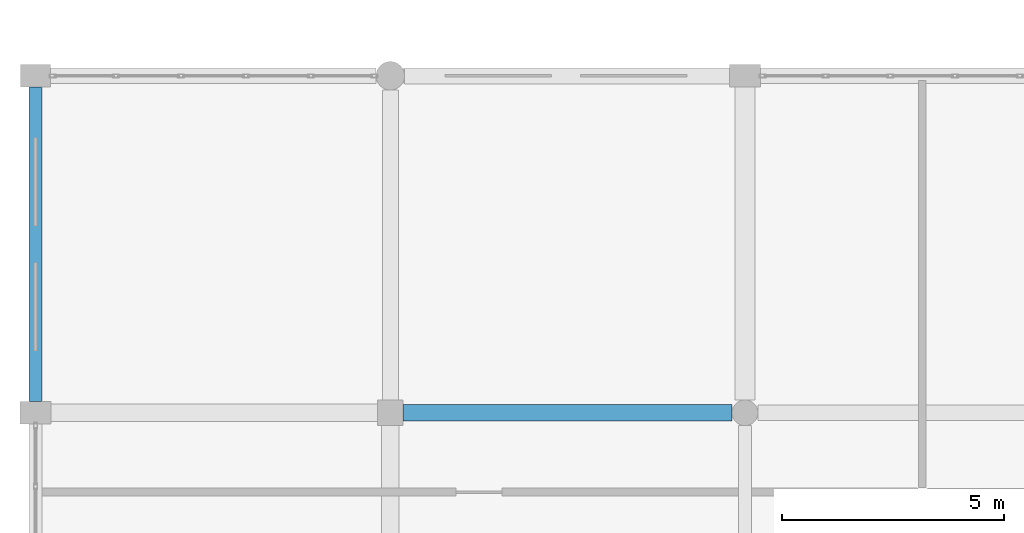
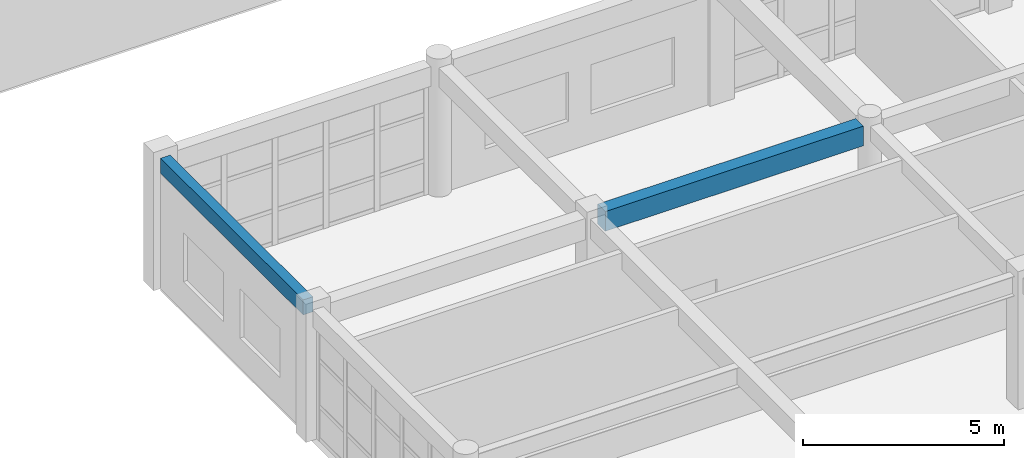
# One storey, part 14 of 121: 2 beams.
"""IFC4 building model written with IfcOpenShell, lengths in metres."""

from ifc_helpers import new_model, si_unit, direction, frame, origin, origin_2d, place, context, subcontext, project, spatial, rectangle, extrude, material, material_profile, profile_set, type_object, element, save


model = new_model("IFC4")

# Units and contexts
model_context = context("Model", 3, precision=1e-05, world=origin(), true_north=direction((0.0, 1.0)))
body_context = subcontext(model_context, "Body", "Model", "MODEL_VIEW")
ifc_project = project(units=[si_unit("LENGTHUNIT", "METRE"), si_unit("AREAUNIT", "SQUARE_METRE"), si_unit("VOLUMEUNIT", "CUBIC_METRE"), si_unit("PLANEANGLEUNIT", "RADIAN"), si_unit("MASSUNIT", "GRAM", prefix="KILO")], contexts=[model_context])

# Site, building, storey
site_placement = place(None, origin())
site = spatial("IfcSite", under=ifc_project, at=site_placement, CompositionType="ELEMENT")
building_placement = place(site_placement, origin())
building = spatial("IfcBuilding", under=site, at=building_placement, Name="Kharva Crest Polytechnic", CompositionType="ELEMENT")
storey_placement = place(building_placement, frame((0.0, 0.0, 13.199951171875)))
storey = spatial("IfcBuildingStorey", under=building, at=storey_placement, Name="L03", CompositionType="ELEMENT", Elevation=13.199951171875)

# Beams
ifc_material = material(Name="Concrete C35/45", Category="concrete")
ifc_material_profile_1 = material_profile(ifc_material, rectangle(XDim=0.3798828125, YDim=0.60009765625, at=origin_2d()), Name="RECT 380 X 600")
ifc_profile_set_1 = profile_set([ifc_material_profile_1], Name="Concrete C35/45")
beam_type_1 = type_object("IfcBeamType", Name="BM-RC-380X600", PredefinedType="BEAM", material=ifc_profile_set_1)
beam_1_placement = place(storey_placement, frame((8.2900390625, 22.800048828125, 3.66015625), z_axis=(1.0, 0.0, 0.0), x_axis=(0.0, 1.0, 0.0)))
element("IfcBeam", 1, at=beam_1_placement, inside=storey, type_object=beam_type_1, Name="L03 Beam D/2-3", PredefinedType="BEAM", context=body_context, shape_type="SweptSolid", body=[
    extrude(rectangle(XDim=0.3798828125, YDim=0.60009765625, at=origin_2d()), origin(), (0.0, 0.0, 1.0), 7.419921875),
])
ifc_material_profile_2 = material_profile(ifc_material, rectangle(XDim=0.280029296875, YDim=0.4599609375, at=origin_2d()), Name="RECT 280 X 460")
ifc_profile_set_2 = profile_set([ifc_material_profile_2], Name="Concrete C35/45")
beam_type_2 = type_object("IfcBeamType", Name="SP-RC-280X460", PredefinedType="SPANDREL", material=ifc_profile_set_2)
beam_2_placement = place(storey_placement, frame((0.0, 23.050048828125, 3.72998046875), z_axis=(0.0, 1.0, 0.0), x_axis=(-1.0, 0.0, 0.0)))
element("IfcBeam", 2, at=beam_2_placement, inside=storey, type_object=beam_type_2, Name="L03 Girder 1/D-E", PredefinedType="SPANDREL", context=body_context, shape_type="SweptSolid", body=[
    extrude(rectangle(XDim=0.280029296875, YDim=0.4599609375, at=origin_2d()), origin(), (0.0, 0.0, 1.0), 7.099853515625),
])

save(model, "model.ifc")
